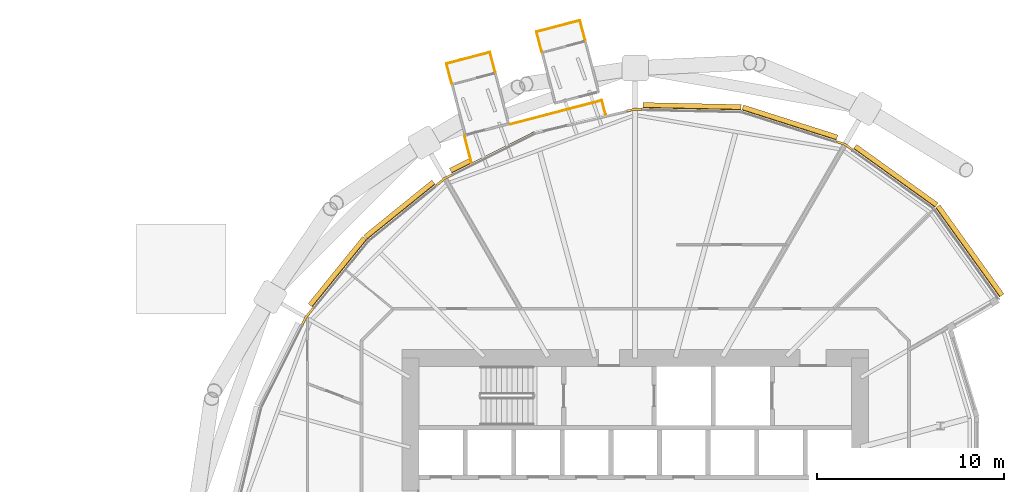
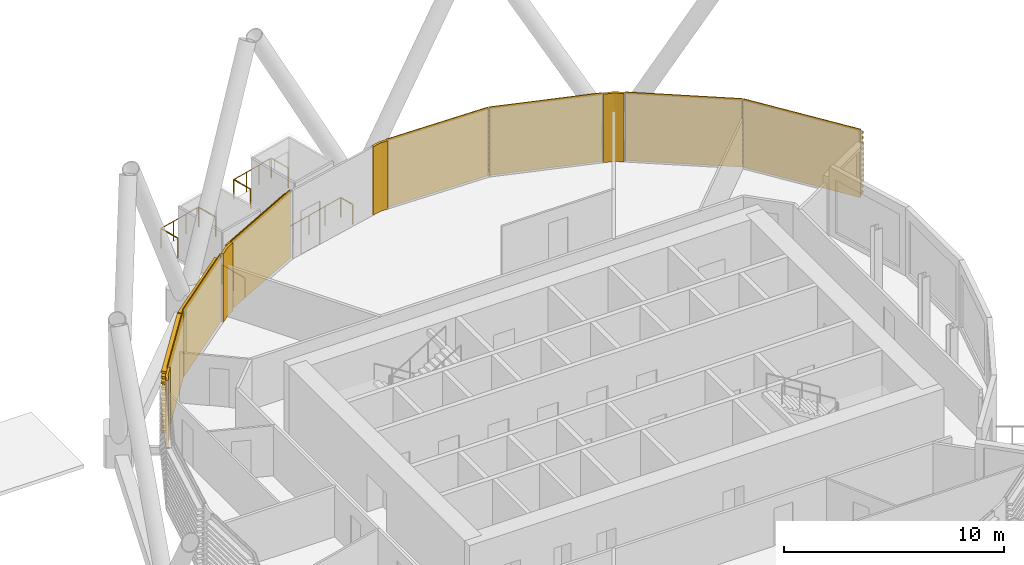
# One storey, part 34 of 34: 11 coverings, 9 railings.
"""IFC4 building model written with IfcOpenShell, lengths in metres."""

from ifc_helpers import new_model, si_unit, direction, frame, origin, origin_2d, place, context, subcontext, project, spatial, polyline, circle, outline, extrude, material, layer, layer_set, material_profile, profile_set, type_object, element, save


model = new_model("IFC4")

# Units and contexts
model_context = context("Model", 3, precision=1e-05, world=origin(), true_north=direction((0.0, 1.0)))
body_context = subcontext(model_context, "Body", "Model", "MODEL_VIEW")
ifc_project = project(units=[si_unit("LENGTHUNIT", "METRE"), si_unit("AREAUNIT", "SQUARE_METRE"), si_unit("VOLUMEUNIT", "CUBIC_METRE"), si_unit("PLANEANGLEUNIT", "RADIAN"), si_unit("MASSUNIT", "GRAM", prefix="KILO")], contexts=[model_context])

# Site, building, storey
site_placement = place(None, origin())
site = spatial("IfcSite", under=ifc_project, at=site_placement, CompositionType="ELEMENT")
building_placement = place(site_placement, origin())
building = spatial("IfcBuilding", under=site, at=building_placement, Name="Rimbun Link Towers", CompositionType="ELEMENT")
storey_placement = place(building_placement, frame((0.0, 0.0, 41.39990234375)))
storey = spatial("IfcBuildingStorey", under=building, at=storey_placement, Name="L09", CompositionType="ELEMENT", Elevation=41.39990234375)

# Railings
ifc_material_1 = material(Name="Stainless steel grade 316", Category="steel")
railing_type = type_object("IfcRailingType", Name="GUARD stainless rail and posts", PredefinedType="GUARDRAIL", material=ifc_material_1)
railing_1_placement = place(storey_placement, frame((24.27001953125, 23.26513671875, 0.0)))
element("IfcRailing", 1, at=railing_1_placement, inside=storey, type_object=railing_type, Name="GUARD D092.01 balcony", PredefinedType="GUARDRAIL", context=body_context, shape_type="SweptSolid", body=[
    extrude(circle(Radius=0.02392578125, at=origin_2d()), frame((0.0, 0.0, 1.076171875), z_axis=(-0.253225876245, 0.967407181904, 0.0), x_axis=(-0.967407181904, -0.253225876245, 0.0)), (0.0, 0.0, 1.0), 1.10009765625),
    extrude(circle(Radius=0.02099609375, at=origin_2d()), origin(), (0.0, 0.0, 1.0), 1.052001953125),
    extrude(circle(Radius=0.02099609375, at=origin_2d()), frame((-0.278564453125, 1.064208984375, 0.0)), (0.0, 0.0, 1.0), 1.052001953125),
])
railing_2_placement = place(storey_placement, frame((23.991455078125, 24.329345703125, 0.0)))
element("IfcRailing", 2, at=railing_2_placement, inside=storey, type_object=railing_type, Name="GUARD D092.01 balcony", PredefinedType="GUARDRAIL", context=body_context, shape_type="SweptSolid", body=[
    extrude(circle(Radius=0.02392578125, at=origin_2d()), frame((0.0, 0.0, 1.076171875), z_axis=(-0.967365099842, -0.253386589243, 0.0), x_axis=(0.253386589243, -0.967365099842, 0.0)), (0.0, 0.0, 1.0), 2.400146484375),
    extrude(circle(Radius=0.02099609375, at=origin_2d()), origin(), (0.0, 0.0, 1.0), 1.052001953125),
    extrude(circle(Radius=0.02099609375, at=origin_2d()), frame((-0.77392578125, -0.20263671875, 0.0)), (0.0, 0.0, 1.0), 1.052001953125),
    extrude(circle(Radius=0.02099609375, at=origin_2d()), frame((-1.5478515625, -0.405517578125, 0.0)), (0.0, 0.0, 1.0), 1.052001953125),
    extrude(circle(Radius=0.02099609375, at=origin_2d()), frame((-2.32177734375, -0.608154296875, 0.0)), (0.0, 0.0, 1.0), 1.052001953125),
])
railing_3_placement = place(storey_placement, frame((21.669677734375, 23.72119140625, 0.0)))
element("IfcRailing", 3, at=railing_3_placement, inside=storey, type_object=railing_type, Name="GUARD D092.01 balcony", PredefinedType="GUARDRAIL", context=body_context, shape_type="SweptSolid", body=[
    extrude(circle(Radius=0.02392578125, at=origin_2d()), frame((0.0, 0.0, 1.076171875), z_axis=(0.253433560912, -0.967352795108, 0.0), x_axis=(0.967352795108, 0.253433560912, 0.0)), (0.0, 0.0, 1.0), 1.10009765625),
    extrude(circle(Radius=0.02099609375, at=origin_2d()), origin(), (0.0, 0.0, 1.0), 1.052001953125),
    extrude(circle(Radius=0.02099609375, at=origin_2d()), frame((0.27880859375, -1.064208984375, 0.0)), (0.0, 0.0, 1.0), 1.052001953125),
])
railing_4_placement = place(storey_placement, frame((29.077880859375, 24.966552734375, 0.0)))
element("IfcRailing", 4, at=railing_4_placement, inside=storey, type_object=railing_type, Name="GUARD D092.02 balcony", PredefinedType="GUARDRAIL", context=body_context, shape_type="SweptSolid", body=[
    extrude(circle(Radius=0.02392578125, at=origin_2d()), frame((0.0, 0.0, 1.076171875), z_axis=(-0.253280255078, 0.967392946215, 0.0), x_axis=(-0.967392946215, -0.253280255078, 0.0)), (0.0, 0.0, 1.0), 1.099853515625),
    extrude(circle(Radius=0.02099609375, at=origin_2d()), origin(), (0.0, 0.0, 1.0), 1.052001953125),
    extrude(circle(Radius=0.02099609375, at=origin_2d()), frame((-0.278564453125, 1.06396484375, 0.0)), (0.0, 0.0, 1.0), 1.052001953125),
])
railing_5_placement = place(storey_placement, frame((28.79931640625, 26.030517578125, 0.0)))
element("IfcRailing", 5, at=railing_5_placement, inside=storey, type_object=railing_type, Name="GUARD D092.02 balcony", PredefinedType="GUARDRAIL", context=body_context, shape_type="SweptSolid", body=[
    extrude(circle(Radius=0.02392578125, at=origin_2d()), frame((0.0, 0.0, 1.076171875), z_axis=(-0.96739002934, -0.253291395695, 0.0), x_axis=(0.253291395695, -0.96739002934, 0.0)), (0.0, 0.0, 1.0), 2.400146484375),
    extrude(circle(Radius=0.02099609375, at=origin_2d()), origin(), (0.0, 0.0, 1.0), 1.052001953125),
    extrude(circle(Radius=0.02099609375, at=origin_2d()), frame((-0.77392578125, -0.20263671875, 0.0)), (0.0, 0.0, 1.0), 1.052001953125),
    extrude(circle(Radius=0.02099609375, at=origin_2d()), frame((-1.5478515625, -0.4052734375, 0.0)), (0.0, 0.0, 1.0), 1.052001953125),
    extrude(circle(Radius=0.02099609375, at=origin_2d()), frame((-2.32177734375, -0.60791015625, 0.0)), (0.0, 0.0, 1.0), 1.052001953125),
])
railing_6_placement = place(storey_placement, frame((26.4775390625, 25.422607421875, 0.0)))
element("IfcRailing", 6, at=railing_6_placement, inside=storey, type_object=railing_type, Name="GUARD D092.02 balcony", PredefinedType="GUARDRAIL", context=body_context, shape_type="SweptSolid", body=[
    extrude(circle(Radius=0.02392578125, at=origin_2d()), frame((0.0, 0.0, 1.076171875), z_axis=(0.253433560912, -0.967352795108, 0.0), x_axis=(0.967352795108, 0.253433560912, 0.0)), (0.0, 0.0, 1.0), 1.10009765625),
    extrude(circle(Radius=0.02099609375, at=origin_2d()), origin(), (0.0, 0.0, 1.0), 1.052001953125),
    extrude(circle(Radius=0.02099609375, at=origin_2d()), frame((0.27880859375, -1.064208984375, 0.0)), (0.0, 0.0, 1.0), 1.052001953125),
])
railing_7_placement = place(storey_placement, frame((22.634765625, 19.839111328125, 0.0)))
element("IfcRailing", 7, at=railing_7_placement, inside=storey, type_object=railing_type, Name="GUARD D092 gallery", PredefinedType="GUARDRAIL", context=body_context, shape_type="SweptSolid", body=[
    extrude(circle(Radius=0.02392578125, at=origin_2d()), frame((0.0, 0.0, 1.076171875), z_axis=(0.253359391838, -0.96737222338, 0.0), x_axis=(0.96737222338, 0.253359391838, 0.0)), (0.0, 0.0, 1.0), 1.473388671875),
    extrude(circle(Radius=0.02099609375, at=origin_2d()), origin(), (0.0, 0.0, 1.0), 1.052001953125),
    extrude(circle(Radius=0.02099609375, at=origin_2d()), frame((0.1865234375, -0.712646484375, 0.0)), (0.0, 0.0, 1.0), 1.052001953125),
    extrude(circle(Radius=0.02099609375, at=origin_2d()), frame((0.373291015625, -1.42529296875, 0.0)), (0.0, 0.0, 1.0), 1.052001953125),
])
railing_8_placement = place(storey_placement, frame((29.969482421875, 21.760009765625, 0.0)))
element("IfcRailing", 8, at=railing_8_placement, inside=storey, type_object=railing_type, Name="GUARD D092 gallery", PredefinedType="GUARDRAIL", context=body_context, shape_type="SweptSolid", body=[
    extrude(circle(Radius=0.02392578125, at=origin_2d()), frame((0.0, 0.0, 1.076171875), z_axis=(0.253568637955, -0.967317396642, 0.0), x_axis=(0.967317396642, 0.253568637955, 0.0)), (0.0, 0.0, 1.0), 0.77978515625),
    extrude(circle(Radius=0.02099609375, at=origin_2d()), origin(), (0.0, 0.0, 1.0), 1.052001953125),
    extrude(circle(Radius=0.02099609375, at=origin_2d()), frame((0.19775390625, -0.75439453125, 0.0)), (0.0, 0.0, 1.0), 1.052001953125),
])
railing_9_placement = place(storey_placement, frame((25.082275390625, 20.47998046875, 0.0)))
element("IfcRailing", 9, at=railing_9_placement, inside=storey, type_object=railing_type, Name="GUARD D092 gallery", PredefinedType="GUARDRAIL", context=body_context, shape_type="SweptSolid", body=[
    extrude(circle(Radius=0.02392578125, at=origin_2d()), frame((0.0, 0.0, 1.076171875), z_axis=(0.96736996732, 0.253368005728, 0.0), x_axis=(-0.253368005728, 0.96736996732, 0.0)), (0.0, 0.0, 1.0), 5.052001953125),
    extrude(circle(Radius=0.02099609375, at=origin_2d()), origin(), (0.0, 0.0, 1.0), 1.052001953125),
    extrude(circle(Radius=0.02099609375, at=origin_2d()), frame((0.9775390625, 0.256103515625, 0.0)), (0.0, 0.0, 1.0), 1.052001953125),
    extrude(circle(Radius=0.02099609375, at=origin_2d()), frame((1.954833984375, 0.511962890625, 0.0)), (0.0, 0.0, 1.0), 1.052001953125),
    extrude(circle(Radius=0.02099609375, at=origin_2d()), frame((2.932373046875, 0.76806640625, 0.0)), (0.0, 0.0, 1.0), 1.052001953125),
    extrude(circle(Radius=0.02099609375, at=origin_2d()), frame((3.90966796875, 1.02392578125, 0.0)), (0.0, 0.0, 1.0), 1.052001953125),
    extrude(circle(Radius=0.02099609375, at=origin_2d()), frame((4.88720703125, 1.280029296875, 0.0)), (0.0, 0.0, 1.0), 1.052001953125),
])

# Coverings
ifc_material_2 = material(Name="Terracotta", Category="masonry")
ifc_layer = layer(ifc_material_2, 0.1201171875)
ifc_layer_set = layer_set([ifc_layer], Name="LINK PIER terracotta cladding 120")
covering_type_1 = type_object("IfcCoveringType", Name="LINK PIER terracotta cladding 120", PredefinedType="CLADDING", material=ifc_layer_set)
covering_1_placement = place(storey_placement, origin())
element("IfcCovering", 10, at=covering_1_placement, inside=storey, type_object=covering_type_1, Name="LINK PIER cladding", PredefinedType="CLADDING", context=body_context, shape_type="SweptSolid", body=[
    extrude(outline(polyline([(42.478271484375, 19.5), (42.926025390625, 19.357421875), (43.307861328125, 19.08349609375), (43.3779296875, 19.180908203125), (42.980712890625, 19.466064453125), (42.5146484375, 19.6142578125), (42.478271484375, 19.5)])), origin(), (0.0, 0.0, 1.0), 3.800048828125),
])
covering_2_placement = place(storey_placement, origin())
element("IfcCovering", 11, at=covering_2_placement, inside=storey, type_object=covering_type_1, Name="LINK PIER cladding", PredefinedType="CLADDING", context=body_context, shape_type="SweptSolid", body=[
    extrude(outline(polyline([(31.341552734375, 21.13427734375), (31.75, 21.23193359375), (32.119873046875, 21.22412109375), (32.12255859375, 21.343994140625), (31.737060546875, 21.352294921875), (31.313720703125, 21.2509765625), (31.341552734375, 21.13427734375)])), origin(), (0.0, 0.0, 1.0), 3.800048828125),
])
covering_3_placement = place(storey_placement, origin())
element("IfcCovering", 12, at=covering_3_placement, inside=storey, type_object=covering_type_1, Name="LINK PIER cladding", PredefinedType="CLADDING", context=body_context, shape_type="SweptSolid", body=[
    extrude(outline(polyline([(21.174560546875, 17.191162109375), (21.61767578125, 17.5498046875), (21.992919921875, 17.73828125), (21.93896484375, 17.845458984375), (21.55224609375, 17.651123046875), (21.09912109375, 17.284423828125), (21.174560546875, 17.191162109375)])), origin(), (0.0, 0.0, 1.0), 3.800048828125),
])
covering_4_placement = place(storey_placement, origin())
element("IfcCovering", 13, at=covering_4_placement, inside=storey, type_object=covering_type_1, Name="LINK PIER cladding", PredefinedType="CLADDING", context=body_context, shape_type="SweptSolid", body=[
    extrude(outline(polyline([(14.01171875, 9.757080078125), (14.2001953125, 10.13232421875), (14.59033203125, 10.6142578125), (14.4970703125, 10.689697265625), (14.098876953125, 10.19775390625), (13.904541015625, 9.81103515625), (14.01171875, 9.757080078125)])), origin(), (0.0, 0.0, 1.0), 3.800048828125),
])
ifc_material_3 = material(Name="Terracotta", Category="masonry")
ifc_material_profile = material_profile(ifc_material_3, outline(polyline([(0.123046875, 0.0), (0.1630859375, 0.0), (0.1630859375, 0.10009765625), (0.423095703125, 0.10009765625), (0.423095703125, 0.219970703125), (0.1630859375, 0.219970703125), (0.1630859375, 0.39990234375), (0.423095703125, 0.39990234375), (0.423095703125, 0.52001953125), (0.1630859375, 0.52001953125), (0.1630859375, 0.699951171875), (0.423095703125, 0.699951171875), (0.423095703125, 0.820068359375), (0.1630859375, 0.820068359375), (0.1630859375, 1.0), (0.423095703125, 1.0), (0.423095703125, 1.1201171875), (0.1630859375, 1.1201171875), (0.1630859375, 1.300048828125), (0.423095703125, 1.300048828125), (0.423095703125, 1.419921875), (0.1630859375, 1.419921875), (0.1630859375, 1.60009765625), (0.423095703125, 1.60009765625), (0.423095703125, 1.719970703125), (0.1630859375, 1.719970703125), (0.1630859375, 1.89990234375), (0.423095703125, 1.89990234375), (0.423095703125, 2.02001953125), (0.1630859375, 2.02001953125), (0.1630859375, 2.199951171875), (0.423095703125, 2.199951171875), (0.423095703125, 2.320068359375), (0.1630859375, 2.320068359375), (0.1630859375, 2.5), (0.423095703125, 2.5), (0.423095703125, 2.6201171875), (0.1630859375, 2.6201171875), (0.1630859375, 2.800048828125), (0.423095703125, 2.800048828125), (0.423095703125, 2.919921875), (0.1630859375, 2.919921875), (0.1630859375, 3.10009765625), (0.423095703125, 3.10009765625), (0.423095703125, 3.219970703125), (0.1630859375, 3.219970703125), (0.1630859375, 3.39990234375), (0.423095703125, 3.39990234375), (0.423095703125, 3.52001953125), (0.1630859375, 3.52001953125), (0.1630859375, 3.800048828125), (0.123046875, 3.800048828125), (0.123046875, 0.0)])), Name="BAGUETTE 120X300")
ifc_profile_set = profile_set([ifc_material_profile], Name="Terracotta")
covering_type_2 = type_object("IfcCoveringType", Name="TERRACOTTA BAGUETTE 120X300 H3800", PredefinedType="CLADDING", material=ifc_profile_set)
covering_5_placement = place(storey_placement, frame((43.332275390625, 19.06591796875, 0.0), z_axis=(0.812479653868, -0.582989547119, 0.0), x_axis=(0.582989547119, 0.812479653868, 0.0)))
element("IfcCovering", 14, at=covering_5_placement, inside=storey, type_object=covering_type_2, Name="TERRACOTTA BAGUETTE", PredefinedType="CLADDING", context=body_context, shape_type="SweptSolid", body=[
    extrude(outline(polyline([(0.123046875, 0.0), (0.1630859375, 0.0), (0.1630859375, 0.10009765625), (0.423095703125, 0.10009765625), (0.423095703125, 0.219970703125), (0.1630859375, 0.219970703125), (0.1630859375, 0.39990234375), (0.423095703125, 0.39990234375), (0.423095703125, 0.52001953125), (0.1630859375, 0.52001953125), (0.1630859375, 0.699951171875), (0.423095703125, 0.699951171875), (0.423095703125, 0.820068359375), (0.1630859375, 0.820068359375), (0.1630859375, 1.0), (0.423095703125, 1.0), (0.423095703125, 1.1201171875), (0.1630859375, 1.1201171875), (0.1630859375, 1.300048828125), (0.423095703125, 1.300048828125), (0.423095703125, 1.419921875), (0.1630859375, 1.419921875), (0.1630859375, 1.60009765625), (0.423095703125, 1.60009765625), (0.423095703125, 1.719970703125), (0.1630859375, 1.719970703125), (0.1630859375, 1.89990234375), (0.423095703125, 1.89990234375), (0.423095703125, 2.02001953125), (0.1630859375, 2.02001953125), (0.1630859375, 2.199951171875), (0.423095703125, 2.199951171875), (0.423095703125, 2.320068359375), (0.1630859375, 2.320068359375), (0.1630859375, 2.5), (0.423095703125, 2.5), (0.423095703125, 2.6201171875), (0.1630859375, 2.6201171875), (0.1630859375, 2.800048828125), (0.423095703125, 2.800048828125), (0.423095703125, 2.919921875), (0.1630859375, 2.919921875), (0.1630859375, 3.10009765625), (0.423095703125, 3.10009765625), (0.423095703125, 3.219970703125), (0.1630859375, 3.219970703125), (0.1630859375, 3.39990234375), (0.423095703125, 3.39990234375), (0.423095703125, 3.52001953125), (0.1630859375, 3.52001953125), (0.1630859375, 3.800048828125), (0.123046875, 3.800048828125), (0.123046875, 0.0)])), origin(), (0.0, 0.0, 1.0), 5.36279296875),
])
covering_6_placement = place(storey_placement, frame((37.406982421875, 21.11279296875, 0.0), z_axis=(0.952966368851, -0.303076062793, 0.0), x_axis=(0.303076062793, 0.952966368851, 0.0)))
element("IfcCovering", 15, at=covering_6_placement, inside=storey, type_object=covering_type_2, Name="TERRACOTTA BAGUETTE", PredefinedType="CLADDING", context=body_context, shape_type="SweptSolid", body=[
    extrude(outline(polyline([(0.123046875, 0.0), (0.1630859375, 0.0), (0.1630859375, 0.10009765625), (0.423095703125, 0.10009765625), (0.423095703125, 0.219970703125), (0.1630859375, 0.219970703125), (0.1630859375, 0.39990234375), (0.423095703125, 0.39990234375), (0.423095703125, 0.52001953125), (0.1630859375, 0.52001953125), (0.1630859375, 0.699951171875), (0.423095703125, 0.699951171875), (0.423095703125, 0.820068359375), (0.1630859375, 0.820068359375), (0.1630859375, 1.0), (0.423095703125, 1.0), (0.423095703125, 1.1201171875), (0.1630859375, 1.1201171875), (0.1630859375, 1.300048828125), (0.423095703125, 1.300048828125), (0.423095703125, 1.419921875), (0.1630859375, 1.419921875), (0.1630859375, 1.60009765625), (0.423095703125, 1.60009765625), (0.423095703125, 1.719970703125), (0.1630859375, 1.719970703125), (0.1630859375, 1.89990234375), (0.423095703125, 1.89990234375), (0.423095703125, 2.02001953125), (0.1630859375, 2.02001953125), (0.1630859375, 2.199951171875), (0.423095703125, 2.199951171875), (0.423095703125, 2.320068359375), (0.1630859375, 2.320068359375), (0.1630859375, 2.5), (0.423095703125, 2.5), (0.423095703125, 2.6201171875), (0.1630859375, 2.6201171875), (0.1630859375, 2.800048828125), (0.423095703125, 2.800048828125), (0.423095703125, 2.919921875), (0.1630859375, 2.919921875), (0.1630859375, 3.10009765625), (0.423095703125, 3.10009765625), (0.423095703125, 3.219970703125), (0.1630859375, 3.219970703125), (0.1630859375, 3.39990234375), (0.423095703125, 3.39990234375), (0.423095703125, 3.52001953125), (0.1630859375, 3.52001953125), (0.1630859375, 3.800048828125), (0.123046875, 3.800048828125), (0.123046875, 0.0)])), origin(), (0.0, 0.0, 1.0), 5.29150390625),
])
covering_7_placement = place(storey_placement, frame((32.14990234375, 21.223388671875, 0.0), z_axis=(0.999778785698, -0.021032823569, 0.0), x_axis=(0.021032823569, 0.999778785698, 0.0)))
element("IfcCovering", 16, at=covering_7_placement, inside=storey, type_object=covering_type_2, Name="TERRACOTTA BAGUETTE", PredefinedType="CLADDING", context=body_context, shape_type="SweptSolid", body=[
    extrude(outline(polyline([(0.123046875, 0.0), (0.1630859375, 0.0), (0.1630859375, 0.10009765625), (0.423095703125, 0.10009765625), (0.423095703125, 0.219970703125), (0.1630859375, 0.219970703125), (0.1630859375, 0.39990234375), (0.423095703125, 0.39990234375), (0.423095703125, 0.52001953125), (0.1630859375, 0.52001953125), (0.1630859375, 0.699951171875), (0.423095703125, 0.699951171875), (0.423095703125, 0.820068359375), (0.1630859375, 0.820068359375), (0.1630859375, 1.0), (0.423095703125, 1.0), (0.423095703125, 1.1201171875), (0.1630859375, 1.1201171875), (0.1630859375, 1.300048828125), (0.423095703125, 1.300048828125), (0.423095703125, 1.419921875), (0.1630859375, 1.419921875), (0.1630859375, 1.60009765625), (0.423095703125, 1.60009765625), (0.423095703125, 1.719970703125), (0.1630859375, 1.719970703125), (0.1630859375, 1.89990234375), (0.423095703125, 1.89990234375), (0.423095703125, 2.02001953125), (0.1630859375, 2.02001953125), (0.1630859375, 2.199951171875), (0.423095703125, 2.199951171875), (0.423095703125, 2.320068359375), (0.1630859375, 2.320068359375), (0.1630859375, 2.5), (0.423095703125, 2.5), (0.423095703125, 2.6201171875), (0.1630859375, 2.6201171875), (0.1630859375, 2.800048828125), (0.423095703125, 2.800048828125), (0.423095703125, 2.919921875), (0.1630859375, 2.919921875), (0.1630859375, 3.10009765625), (0.423095703125, 3.10009765625), (0.423095703125, 3.219970703125), (0.1630859375, 3.219970703125), (0.1630859375, 3.39990234375), (0.423095703125, 3.39990234375), (0.423095703125, 3.52001953125), (0.1630859375, 3.52001953125), (0.1630859375, 3.800048828125), (0.123046875, 3.800048828125), (0.123046875, 0.0)])), origin(), (0.0, 0.0, 1.0), 5.25830078125),
])
covering_8_placement = place(storey_placement, frame((22.019775390625, 17.751708984375, 0.0), z_axis=(0.893649449083, 0.448765709645, 0.0), x_axis=(-0.448765709645, 0.893649449083, 0.0)))
element("IfcCovering", 17, at=covering_8_placement, inside=storey, type_object=covering_type_2, Name="TERRACOTTA BAGUETTE", PredefinedType="CLADDING", context=body_context, shape_type="SweptSolid", body=[
    extrude(outline(polyline([(0.123046875, 0.0), (0.1630859375, 0.0), (0.1630859375, 0.10009765625), (0.423095703125, 0.10009765625), (0.423095703125, 0.219970703125), (0.1630859375, 0.219970703125), (0.1630859375, 0.39990234375), (0.423095703125, 0.39990234375), (0.423095703125, 0.52001953125), (0.1630859375, 0.52001953125), (0.1630859375, 0.699951171875), (0.423095703125, 0.699951171875), (0.423095703125, 0.820068359375), (0.1630859375, 0.820068359375), (0.1630859375, 1.0), (0.423095703125, 1.0), (0.423095703125, 1.1201171875), (0.1630859375, 1.1201171875), (0.1630859375, 1.300048828125), (0.423095703125, 1.300048828125), (0.423095703125, 1.419921875), (0.1630859375, 1.419921875), (0.1630859375, 1.60009765625), (0.423095703125, 1.60009765625), (0.423095703125, 1.719970703125), (0.1630859375, 1.719970703125), (0.1630859375, 1.89990234375), (0.423095703125, 1.89990234375), (0.423095703125, 2.02001953125), (0.1630859375, 2.02001953125), (0.1630859375, 2.199951171875), (0.423095703125, 2.199951171875), (0.423095703125, 2.320068359375), (0.1630859375, 2.320068359375), (0.1630859375, 2.5), (0.423095703125, 2.5), (0.423095703125, 2.6201171875), (0.1630859375, 2.6201171875), (0.1630859375, 2.800048828125), (0.423095703125, 2.800048828125), (0.423095703125, 2.919921875), (0.1630859375, 2.919921875), (0.1630859375, 3.10009765625), (0.423095703125, 3.10009765625), (0.423095703125, 3.219970703125), (0.1630859375, 3.219970703125), (0.1630859375, 3.39990234375), (0.423095703125, 3.39990234375), (0.423095703125, 3.52001953125), (0.1630859375, 3.52001953125), (0.1630859375, 3.800048828125), (0.123046875, 3.800048828125), (0.123046875, 0.0)])), origin(), (0.0, 0.0, 1.0), 4.905517578125),
])
covering_9_placement = place(storey_placement, frame((17.518310546875, 14.231689453125, 0.0), z_axis=(0.777263117002, 0.62917568846, 0.0), x_axis=(-0.62917568846, 0.777263117002, 0.0)))
element("IfcCovering", 18, at=covering_9_placement, inside=storey, type_object=covering_type_2, Name="TERRACOTTA BAGUETTE", PredefinedType="CLADDING", context=body_context, shape_type="SweptSolid", body=[
    extrude(outline(polyline([(0.123046875, 0.0), (0.1630859375, 0.0), (0.1630859375, 0.10009765625), (0.423095703125, 0.10009765625), (0.423095703125, 0.219970703125), (0.1630859375, 0.219970703125), (0.1630859375, 0.39990234375), (0.423095703125, 0.39990234375), (0.423095703125, 0.52001953125), (0.1630859375, 0.52001953125), (0.1630859375, 0.699951171875), (0.423095703125, 0.699951171875), (0.423095703125, 0.820068359375), (0.1630859375, 0.820068359375), (0.1630859375, 1.0), (0.423095703125, 1.0), (0.423095703125, 1.1201171875), (0.1630859375, 1.1201171875), (0.1630859375, 1.300048828125), (0.423095703125, 1.300048828125), (0.423095703125, 1.419921875), (0.1630859375, 1.419921875), (0.1630859375, 1.60009765625), (0.423095703125, 1.60009765625), (0.423095703125, 1.719970703125), (0.1630859375, 1.719970703125), (0.1630859375, 1.89990234375), (0.423095703125, 1.89990234375), (0.423095703125, 2.02001953125), (0.1630859375, 2.02001953125), (0.1630859375, 2.199951171875), (0.423095703125, 2.199951171875), (0.423095703125, 2.320068359375), (0.1630859375, 2.320068359375), (0.1630859375, 2.5), (0.423095703125, 2.5), (0.423095703125, 2.6201171875), (0.1630859375, 2.6201171875), (0.1630859375, 2.800048828125), (0.423095703125, 2.800048828125), (0.423095703125, 2.919921875), (0.1630859375, 2.919921875), (0.1630859375, 3.10009765625), (0.423095703125, 3.10009765625), (0.423095703125, 3.219970703125), (0.1630859375, 3.219970703125), (0.1630859375, 3.39990234375), (0.423095703125, 3.39990234375), (0.423095703125, 3.52001953125), (0.1630859375, 3.52001953125), (0.1630859375, 3.800048828125), (0.123046875, 3.800048828125), (0.123046875, 0.0)])), origin(), (0.0, 0.0, 1.0), 4.673828125),
])
covering_10_placement = place(storey_placement, frame((14.609130859375, 10.6376953125, 0.0), z_axis=(0.629166331074, 0.777270691486, 0.0), x_axis=(-0.777270691486, 0.629166331074, 0.0)))
element("IfcCovering", 19, at=covering_10_placement, inside=storey, type_object=covering_type_2, Name="TERRACOTTA BAGUETTE", PredefinedType="CLADDING", context=body_context, shape_type="SweptSolid", body=[
    extrude(outline(polyline([(0.123046875, 0.0), (0.1630859375, 0.0), (0.1630859375, 0.10009765625), (0.423095703125, 0.10009765625), (0.423095703125, 0.219970703125), (0.1630859375, 0.219970703125), (0.1630859375, 0.39990234375), (0.423095703125, 0.39990234375), (0.423095703125, 0.52001953125), (0.1630859375, 0.52001953125), (0.1630859375, 0.699951171875), (0.423095703125, 0.699951171875), (0.423095703125, 0.820068359375), (0.1630859375, 0.820068359375), (0.1630859375, 1.0), (0.423095703125, 1.0), (0.423095703125, 1.1201171875), (0.1630859375, 1.1201171875), (0.1630859375, 1.300048828125), (0.423095703125, 1.300048828125), (0.423095703125, 1.419921875), (0.1630859375, 1.419921875), (0.1630859375, 1.60009765625), (0.423095703125, 1.60009765625), (0.423095703125, 1.719970703125), (0.1630859375, 1.719970703125), (0.1630859375, 1.89990234375), (0.423095703125, 1.89990234375), (0.423095703125, 2.02001953125), (0.1630859375, 2.02001953125), (0.1630859375, 2.199951171875), (0.423095703125, 2.199951171875), (0.423095703125, 2.320068359375), (0.1630859375, 2.320068359375), (0.1630859375, 2.5), (0.423095703125, 2.5), (0.423095703125, 2.6201171875), (0.1630859375, 2.6201171875), (0.1630859375, 2.800048828125), (0.423095703125, 2.800048828125), (0.423095703125, 2.919921875), (0.1630859375, 2.919921875), (0.1630859375, 3.10009765625), (0.423095703125, 3.10009765625), (0.423095703125, 3.219970703125), (0.1630859375, 3.219970703125), (0.1630859375, 3.39990234375), (0.423095703125, 3.39990234375), (0.423095703125, 3.52001953125), (0.1630859375, 3.52001953125), (0.1630859375, 3.800048828125), (0.123046875, 3.800048828125), (0.123046875, 0.0)])), origin(), (0.0, 0.0, 1.0), 4.623779296875),
])
covering_11_placement = place(storey_placement, frame((47.689453125, 15.939453125, 0.0), z_axis=(0.582989753513, -0.812479505771, 0.0), x_axis=(0.812479505771, 0.582989753513, 0.0)))
element("IfcCovering", 20, at=covering_11_placement, inside=storey, type_object=covering_type_2, Name="TERRACOTTA BAGUETTE", PredefinedType="CLADDING", context=body_context, shape_type="SweptSolid", body=[
    extrude(outline(polyline([(0.123046875, 0.0), (0.1630859375, 0.0), (0.1630859375, 0.10009765625), (0.423095703125, 0.10009765625), (0.423095703125, 0.219970703125), (0.1630859375, 0.219970703125), (0.1630859375, 0.39990234375), (0.423095703125, 0.39990234375), (0.423095703125, 0.52001953125), (0.1630859375, 0.52001953125), (0.1630859375, 0.699951171875), (0.423095703125, 0.699951171875), (0.423095703125, 0.820068359375), (0.1630859375, 0.820068359375), (0.1630859375, 1.0), (0.423095703125, 1.0), (0.423095703125, 1.1201171875), (0.1630859375, 1.1201171875), (0.1630859375, 1.300048828125), (0.423095703125, 1.300048828125), (0.423095703125, 1.419921875), (0.1630859375, 1.419921875), (0.1630859375, 1.60009765625), (0.423095703125, 1.60009765625), (0.423095703125, 1.719970703125), (0.1630859375, 1.719970703125), (0.1630859375, 1.89990234375), (0.423095703125, 1.89990234375), (0.423095703125, 2.02001953125), (0.1630859375, 2.02001953125), (0.1630859375, 2.199951171875), (0.423095703125, 2.199951171875), (0.423095703125, 2.320068359375), (0.1630859375, 2.320068359375), (0.1630859375, 2.5), (0.423095703125, 2.5), (0.423095703125, 2.6201171875), (0.1630859375, 2.6201171875), (0.1630859375, 2.800048828125), (0.423095703125, 2.800048828125), (0.423095703125, 2.919921875), (0.1630859375, 2.919921875), (0.1630859375, 3.10009765625), (0.423095703125, 3.10009765625), (0.423095703125, 3.219970703125), (0.1630859375, 3.219970703125), (0.1630859375, 3.39990234375), (0.423095703125, 3.39990234375), (0.423095703125, 3.52001953125), (0.1630859375, 3.52001953125), (0.1630859375, 3.800048828125), (0.123046875, 3.800048828125), (0.123046875, 0.0)])), origin(), (0.0, 0.0, 1.0), 5.86279296875),
])

save(model, "model.ifc")
